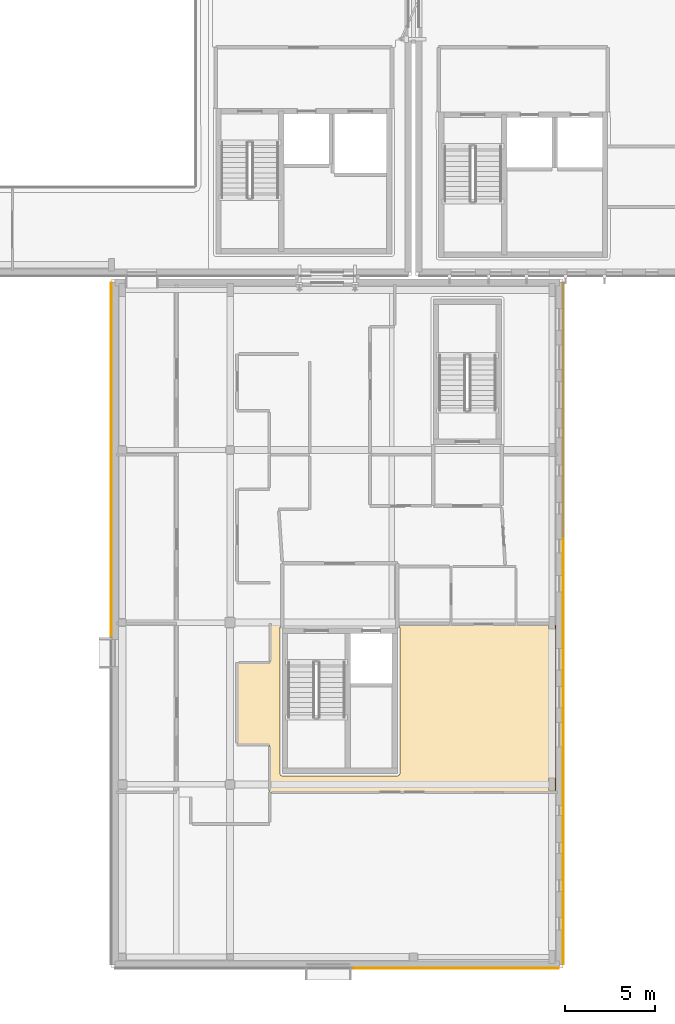
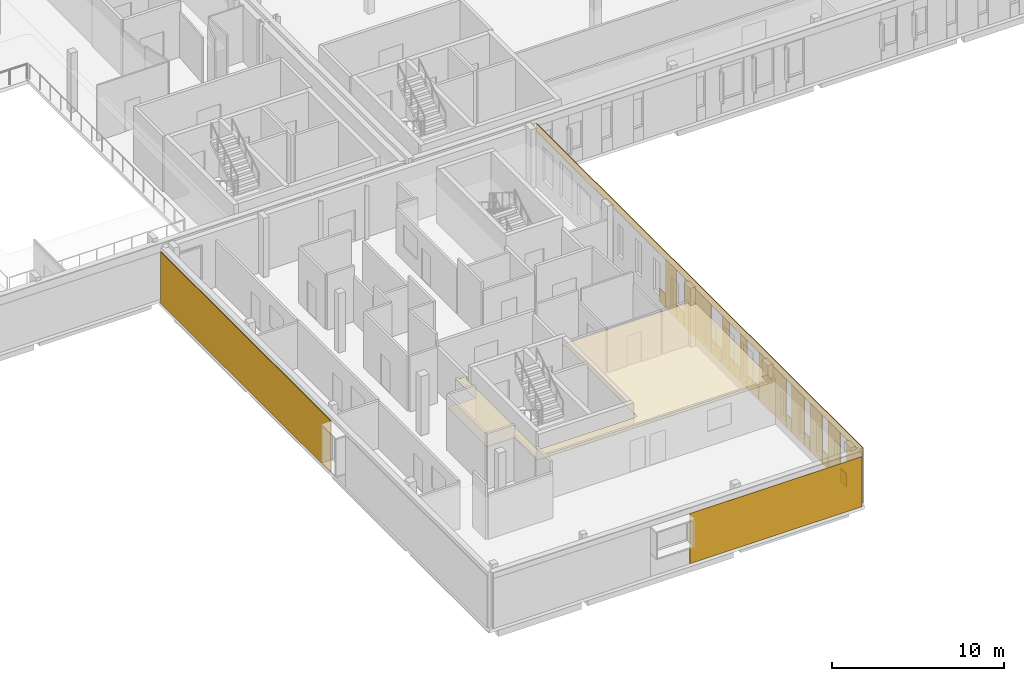
# One storey, part 62 of 84: 22 coverings.
"""IFC4 building model written with IfcOpenShell, lengths in metres."""

from ifc_helpers import new_model, si_unit, direction, frame, origin, origin_2d, place, context, subcontext, project, spatial, polyline, rectangle, outline, extrude, material, layer, layer_set, type_object, element, save


model = new_model("IFC4")

# Units and contexts
model_context = context("Model", 3, precision=1e-05, world=origin(), true_north=direction((0.0, 1.0)))
body_context = subcontext(model_context, "Body", "Model", "MODEL_VIEW")
ifc_project = project(units=[si_unit("LENGTHUNIT", "METRE"), si_unit("AREAUNIT", "SQUARE_METRE"), si_unit("VOLUMEUNIT", "CUBIC_METRE"), si_unit("PLANEANGLEUNIT", "RADIAN"), si_unit("MASSUNIT", "GRAM", prefix="KILO")], contexts=[model_context])

# Site, building, storey
site_placement = place(None, origin())
site = spatial("IfcSite", under=ifc_project, at=site_placement, CompositionType="ELEMENT")
building_placement = place(site_placement, origin())
building = spatial("IfcBuilding", under=site, at=building_placement, Name="Mzevani Central Library", CompositionType="ELEMENT")
storey_placement = place(building_placement, frame((0.0, 0.0, 5.39990234375)))
storey = spatial("IfcBuildingStorey", under=building, at=storey_placement, Name="L01", CompositionType="ELEMENT", Elevation=5.39990234375)

# Coverings
ifc_material_1 = material(Name="Limestone ashlar cladding", Category="masonry")
ifc_layer_1 = layer(ifc_material_1, 0.050048828125, Name="Limestone Ashlar Spandrel Cladding")
ifc_layer_set_1 = layer_set([ifc_layer_1], Name="Limestone ashlar cladding")
covering_type_1 = type_object("IfcCoveringType", Name="Limestone Ashlar Spandrel Cladding", PredefinedType="CLADDING", material=ifc_layer_set_1)
covering_1_placement = place(storey_placement, frame((48.332763671875, 3.97607421875, 0.0), z_axis=(0.0, 0.0, 1.0), x_axis=(-1.0, 0.0, 0.0)))
element("IfcCovering", 1, at=covering_1_placement, inside=storey, type_object=covering_type_1, Name="L01 Warm-White Facade Pier 1 (EW4-V4-L01-0076)", PredefinedType="CLADDING", context=body_context, shape_type="SweptSolid", body=[
    extrude(rectangle(XDim=11.514404296875, YDim=0.050048828125, at=origin_2d()), origin(), (0.0, 0.0, 1.0), 3.550048828125),
])
covering_2_placement = place(storey_placement, frame((29.176025390625, 32.234130859375, 0.0), z_axis=(0.0, 0.0, 1.0), x_axis=(0.0, 1.0, 0.0)))
element("IfcCovering", 2, at=covering_2_placement, inside=storey, type_object=covering_type_1, Name="L01 Warm-White Facade Pier 3 (EW4-V4-L01-0077)", PredefinedType="CLADDING", context=body_context, shape_type="SweptSolid", body=[
    extrude(rectangle(XDim=19.711669921875, YDim=0.050048828125, at=origin_2d()), origin(), (0.0, 0.0, 1.0), 3.659912109375),
])
covering_3_placement = place(storey_placement, frame((54.323974609375, 23.14990234375, 3.4501953125), z_axis=(0.0, 0.0, 1.0), x_axis=(0.0, -1.0, 0.0)))
element("IfcCovering", 3, at=covering_3_placement, inside=storey, type_object=covering_type_1, Name="L01 Warm-White Facade Spandrel (EW4-V4-L01-0079)", PredefinedType="CLADDING", context=body_context, shape_type="SweptSolid", body=[
    extrude(rectangle(XDim=37.8798828125, YDim=0.050048828125, at=origin_2d()), origin(), (0.0, 0.0, 1.0), 0.489990234375),
])
covering_4_placement = place(storey_placement, frame((54.323974609375, 27.4599609375, 0.0), z_axis=(0.0, 0.0, 1.0), x_axis=(0.0, -1.0, 0.0)))
element("IfcCovering", 4, at=covering_4_placement, inside=storey, type_object=covering_type_1, Name="L01 Warm-White Sill Cladding 14 (EW4-V4-L01-0079)", PredefinedType="CLADDING", context=body_context, shape_type="SweptSolid", body=[
    extrude(rectangle(XDim=0.75, YDim=0.050048828125, at=origin_2d()), origin(), (0.0, 0.0, 1.0), 0.949951171875),
])
covering_5_placement = place(storey_placement, frame((54.323974609375, 26.447509765625, 0.0), z_axis=(0.0, 0.0, 1.0), x_axis=(0.0, -1.0, 0.0)))
element("IfcCovering", 5, at=covering_5_placement, inside=storey, type_object=covering_type_1, Name="L01 Warm-White Facade Pier 15 (EW4-V4-L01-0079)", PredefinedType="CLADDING", context=body_context, shape_type="SweptSolid", body=[
    extrude(rectangle(XDim=1.235107421875, YDim=0.050048828125, at=origin_2d()), origin(), (0.0, 0.0, 1.0), 3.449951171875),
])
covering_6_placement = place(storey_placement, frame((54.323974609375, 25.360107421875, 0.0), z_axis=(0.0, 0.0, 1.0), x_axis=(0.0, -1.0, 0.0)))
element("IfcCovering", 6, at=covering_6_placement, inside=storey, type_object=covering_type_1, Name="L01 Warm-White Sill Cladding 16 (EW4-V4-L01-0079)", PredefinedType="CLADDING", context=body_context, shape_type="SweptSolid", body=[
    extrude(rectangle(XDim=0.89990234375, YDim=0.050048828125, at=origin_2d()), origin(), (0.0, 0.0, 1.0), 0.949951171875),
])
covering_7_placement = place(storey_placement, frame((54.323974609375, 23.3349609375, 0.0), z_axis=(0.0, 0.0, 1.0), x_axis=(0.0, -1.0, 0.0)))
element("IfcCovering", 7, at=covering_7_placement, inside=storey, type_object=covering_type_1, Name="L01 Warm-White Facade Pier 17 (EW4-V4-L01-0079)", PredefinedType="CLADDING", context=body_context, shape_type="SweptSolid", body=[
    extrude(rectangle(XDim=3.110107421875, YDim=0.050048828125, at=origin_2d()), origin(), (0.0, 0.0, 1.0), 3.449951171875),
])
covering_8_placement = place(storey_placement, frame((54.323974609375, 21.159912109375, 0.0), z_axis=(0.0, 0.0, 1.0), x_axis=(0.0, -1.0, 0.0)))
element("IfcCovering", 8, at=covering_8_placement, inside=storey, type_object=covering_type_1, Name="L01 Warm-White Sill Cladding 18 (EW4-V4-L01-0079)", PredefinedType="CLADDING", context=body_context, shape_type="SweptSolid", body=[
    extrude(rectangle(XDim=1.199951171875, YDim=0.050048828125, at=origin_2d()), origin(), (0.0, 0.0, 1.0), 0.949951171875),
])
covering_9_placement = place(storey_placement, frame((54.323974609375, 20.110107421875, 0.0), z_axis=(0.0, 0.0, 1.0), x_axis=(0.0, -1.0, 0.0)))
element("IfcCovering", 9, at=covering_9_placement, inside=storey, type_object=covering_type_1, Name="L01 Warm-White Facade Pier 19 (EW4-V4-L01-0079)", PredefinedType="CLADDING", context=body_context, shape_type="SweptSolid", body=[
    extrude(rectangle(XDim=0.860107421875, YDim=0.050048828125, at=origin_2d()), origin(), (0.0, 0.0, 1.0), 3.449951171875),
])
covering_10_placement = place(storey_placement, frame((54.323974609375, 19.06005859375, 0.0), z_axis=(0.0, 0.0, 1.0), x_axis=(0.0, -1.0, 0.0)))
element("IfcCovering", 10, at=covering_10_placement, inside=storey, type_object=covering_type_1, Name="L01 Warm-White Sill Cladding 20 (EW4-V4-L01-0079)", PredefinedType="CLADDING", context=body_context, shape_type="SweptSolid", body=[
    extrude(rectangle(XDim=1.199951171875, YDim=0.050048828125, at=origin_2d()), origin(), (0.0, 0.0, 1.0), 0.949951171875),
])
covering_11_placement = place(storey_placement, frame((54.323974609375, 18.047607421875, 0.0), z_axis=(0.0, 0.0, 1.0), x_axis=(0.0, -1.0, 0.0)))
element("IfcCovering", 11, at=covering_11_placement, inside=storey, type_object=covering_type_1, Name="L01 Warm-White Facade Pier 21 (EW4-V4-L01-0079)", PredefinedType="CLADDING", context=body_context, shape_type="SweptSolid", body=[
    extrude(rectangle(XDim=0.784912109375, YDim=0.050048828125, at=origin_2d()), origin(), (0.0, 0.0, 1.0), 3.449951171875),
])
covering_12_placement = place(storey_placement, frame((54.323974609375, 16.9599609375, 0.0), z_axis=(0.0, 0.0, 1.0), x_axis=(0.0, -1.0, 0.0)))
element("IfcCovering", 12, at=covering_12_placement, inside=storey, type_object=covering_type_1, Name="L01 Warm-White Sill Cladding 22 (EW4-V4-L01-0079)", PredefinedType="CLADDING", context=body_context, shape_type="SweptSolid", body=[
    extrude(rectangle(XDim=1.35009765625, YDim=0.050048828125, at=origin_2d()), origin(), (0.0, 0.0, 1.0), 0.949951171875),
])
covering_13_placement = place(storey_placement, frame((54.323974609375, 14.659912109375, 0.0), z_axis=(0.0, 0.0, 1.0), x_axis=(0.0, -1.0, 0.0)))
element("IfcCovering", 13, at=covering_13_placement, inside=storey, type_object=covering_type_1, Name="L01 Warm-White Facade Pier 23 (EW4-V4-L01-0079)", PredefinedType="CLADDING", context=body_context, shape_type="SweptSolid", body=[
    extrude(rectangle(XDim=3.2099609375, YDim=0.050048828125, at=origin_2d()), origin(), (0.0, 0.0, 1.0), 3.449951171875),
])
covering_14_placement = place(storey_placement, frame((54.323974609375, 12.760009765625, 0.0), z_axis=(0.0, 0.0, 1.0), x_axis=(0.0, -1.0, 0.0)))
element("IfcCovering", 14, at=covering_14_placement, inside=storey, type_object=covering_type_1, Name="L01 Warm-White Sill Cladding 24 (EW4-V4-L01-0079)", PredefinedType="CLADDING", context=body_context, shape_type="SweptSolid", body=[
    extrude(rectangle(XDim=0.550048828125, YDim=0.050048828125, at=origin_2d()), origin(), (0.0, 0.0, 1.0), 0.949951171875),
])
covering_15_placement = place(storey_placement, frame((54.323974609375, 11.722412109375, 0.0), z_axis=(0.0, 0.0, 1.0), x_axis=(0.0, -1.0, 0.0)))
element("IfcCovering", 15, at=covering_15_placement, inside=storey, type_object=covering_type_1, Name="L01 Warm-White Facade Pier 25 (EW4-V4-L01-0079)", PredefinedType="CLADDING", context=body_context, shape_type="SweptSolid", body=[
    extrude(rectangle(XDim=1.485107421875, YDim=0.050048828125, at=origin_2d()), origin(), (0.0, 0.0, 1.0), 3.449951171875),
])
covering_16_placement = place(storey_placement, frame((54.323974609375, 10.659912109375, 0.0), z_axis=(0.0, 0.0, 1.0), x_axis=(0.0, -1.0, 0.0)))
element("IfcCovering", 16, at=covering_16_placement, inside=storey, type_object=covering_type_1, Name="L01 Warm-White Sill Cladding 26 (EW4-V4-L01-0079)", PredefinedType="CLADDING", context=body_context, shape_type="SweptSolid", body=[
    extrude(rectangle(XDim=0.60009765625, YDim=0.050048828125, at=origin_2d()), origin(), (0.0, 0.0, 1.0), 0.949951171875),
])
covering_17_placement = place(storey_placement, frame((54.323974609375, 9.62255859375, 0.0), z_axis=(0.0, 0.0, 1.0), x_axis=(0.0, -1.0, 0.0)))
element("IfcCovering", 17, at=covering_17_placement, inside=storey, type_object=covering_type_1, Name="L01 Warm-White Facade Pier 27 (EW4-V4-L01-0079)", PredefinedType="CLADDING", context=body_context, shape_type="SweptSolid", body=[
    extrude(rectangle(XDim=1.43505859375, YDim=0.050048828125, at=origin_2d()), origin(), (0.0, 0.0, 1.0), 3.449951171875),
])
covering_18_placement = place(storey_placement, frame((54.323974609375, 8.56005859375, 0.0), z_axis=(0.0, 0.0, 1.0), x_axis=(0.0, -1.0, 0.0)))
element("IfcCovering", 18, at=covering_18_placement, inside=storey, type_object=covering_type_1, Name="L01 Warm-White Sill Cladding 28 (EW4-V4-L01-0079)", PredefinedType="CLADDING", context=body_context, shape_type="SweptSolid", body=[
    extrude(rectangle(XDim=0.64990234375, YDim=0.050048828125, at=origin_2d()), origin(), (0.0, 0.0, 1.0), 0.949951171875),
])
covering_19_placement = place(storey_placement, frame((54.323974609375, 7.5224609375, 0.0), z_axis=(0.0, 0.0, 1.0), x_axis=(0.0, -1.0, 0.0)))
element("IfcCovering", 19, at=covering_19_placement, inside=storey, type_object=covering_type_1, Name="L01 Warm-White Facade Pier 29 (EW4-V4-L01-0079)", PredefinedType="CLADDING", context=body_context, shape_type="SweptSolid", body=[
    extrude(rectangle(XDim=1.385009765625, YDim=0.050048828125, at=origin_2d()), origin(), (0.0, 0.0, 1.0), 3.449951171875),
])
covering_20_placement = place(storey_placement, frame((54.323974609375, 6.4599609375, 0.0), z_axis=(0.0, 0.0, 1.0), x_axis=(0.0, -1.0, 0.0)))
element("IfcCovering", 20, at=covering_20_placement, inside=storey, type_object=covering_type_1, Name="L01 Warm-White Sill Cladding 30 (EW4-V4-L01-0079)", PredefinedType="CLADDING", context=body_context, shape_type="SweptSolid", body=[
    extrude(rectangle(XDim=0.699951171875, YDim=0.050048828125, at=origin_2d()), origin(), (0.0, 0.0, 1.0), 0.949951171875),
])
covering_21_placement = place(storey_placement, frame((54.323974609375, 5.14990234375, 0.0), z_axis=(0.0, 0.0, 1.0), x_axis=(0.0, -1.0, 0.0)))
element("IfcCovering", 21, at=covering_21_placement, inside=storey, type_object=covering_type_1, Name="L01 Warm-White Facade Pier 31 (EW4-V4-L01-0079)", PredefinedType="CLADDING", context=body_context, shape_type="SweptSolid", body=[
    extrude(rectangle(XDim=1.8798828125, YDim=0.050048828125, at=origin_2d()), origin(), (0.0, 0.0, 1.0), 3.449951171875),
])
ifc_material_2 = material(Name="Mineral wool acoustic ceiling")
ifc_layer_2 = layer(ifc_material_2, 0.0400390625, Name="Perforated Timber Acoustic Ceiling")
ifc_layer_set_2 = layer_set([ifc_layer_2], Name="Mineral wool acoustic ceiling")
covering_type_2 = type_object("IfcCoveringType", Name="Perforated Timber Acoustic Ceiling", PredefinedType="CEILING", material=ifc_layer_set_2)
covering_22_placement = place(storey_placement, frame((0.0, 0.0, 2.9501953125)))
element("IfcCovering", 22, at=covering_22_placement, inside=storey, type_object=covering_type_2, Name="L01 Audio Recording and Podcast Booths Acoustic Ceiling", PredefinedType="CEILING", context=body_context, shape_type="SweptSolid", body=[
    extrude(outline(polyline([(36.17041015625, 16.397216796875), (36.17041015625, 20.977783203125), (38.014892578125, 20.985107421875), (38.021240234375, 23.1591796875), (38.7099609375, 23.15087890625), (38.708740234375, 23.04541015625), (38.6015625, 22.998291015625), (38.56005859375, 22.89794921875), (38.56005859375, 14.802001953125), (38.6015625, 14.70166015625), (38.701904296875, 14.659912109375), (45.097900390625, 14.659912109375), (45.2080078125, 14.712158203125), (45.239990234375, 14.8017578125), (45.239990234375, 22.89794921875), (45.198486328125, 22.998291015625), (45.09130859375, 23.04541015625), (45.09521484375, 23.15869140625), (53.52490234375, 23.159912109375), (53.52490234375, 22.85009765625), (53.875, 22.85009765625), (53.875, 23.159912109375), (53.92919921875, 23.15380859375), (53.923828125, 13.755859375), (37.998046875, 13.755126953125), (37.989990234375, 16.389892578125), (36.17041015625, 16.397216796875)]), holes=[polyline([(53.52490234375, 14.550048828125), (53.52490234375, 13.85009765625), (53.875, 13.85009765625), (53.875, 14.550048828125), (53.52490234375, 14.550048828125)])]), origin(), (0.0, 0.0, 1.0), 0.039794921875),
])

save(model, "model.ifc")
